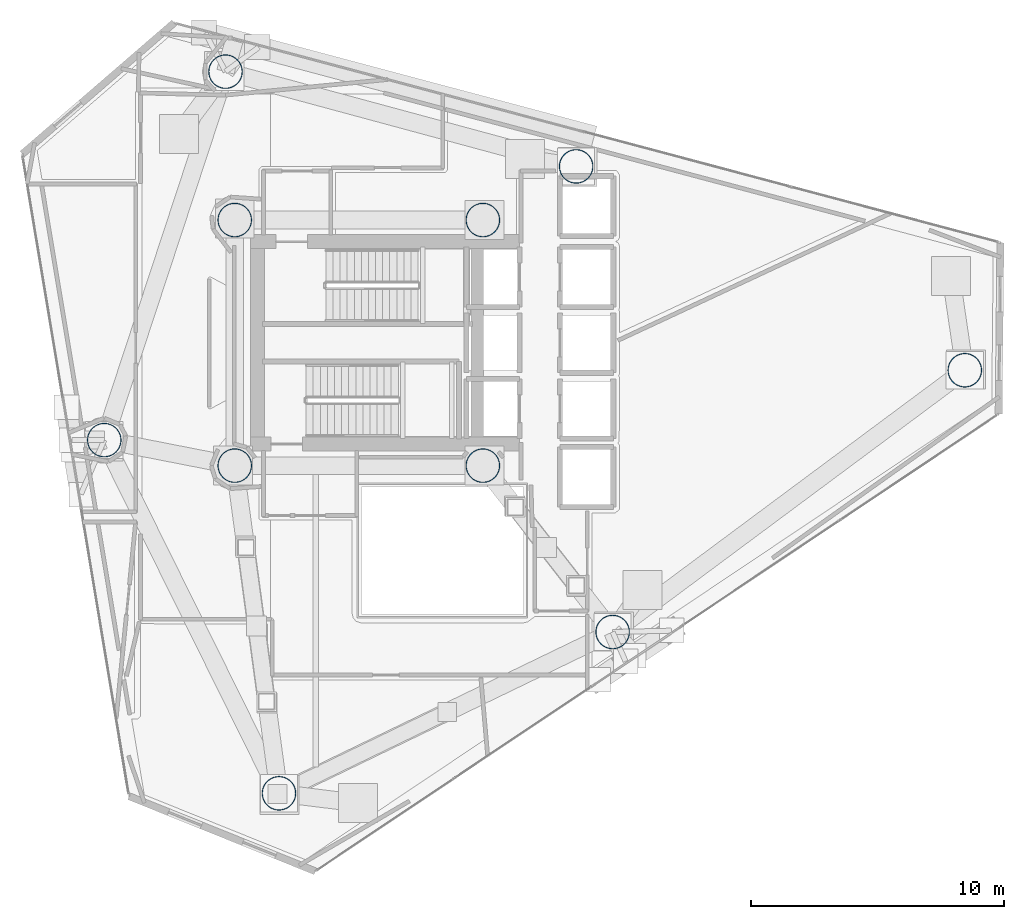
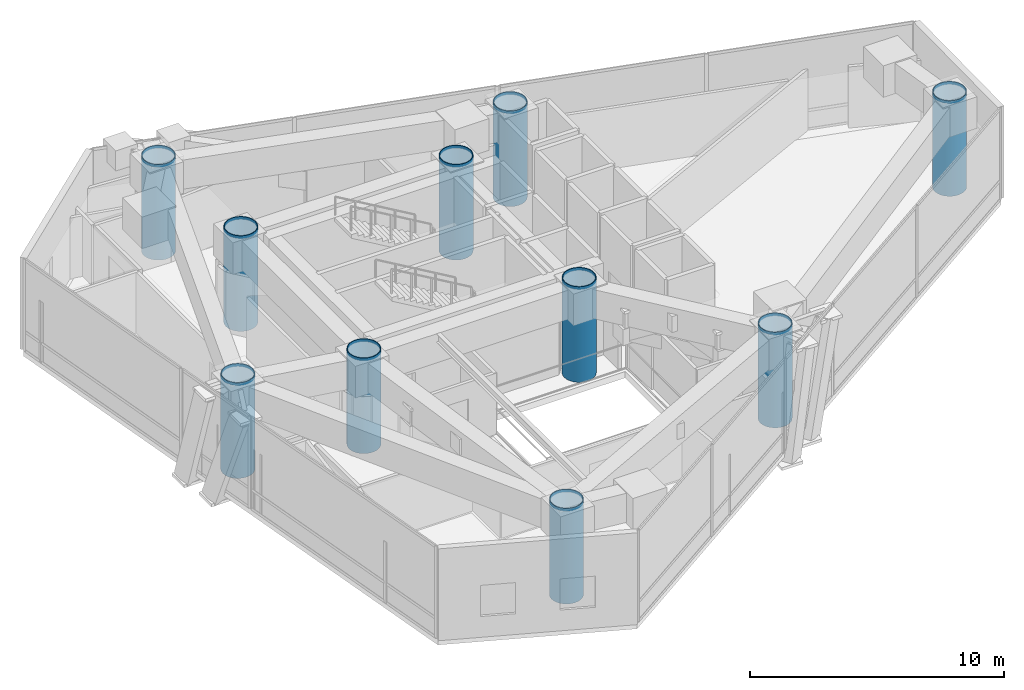
# One storey, part 1 of 22: 10 columns.
"""IFC4 building model written with IfcOpenShell, lengths in metres."""

from ifc_helpers import new_model, si_unit, direction, frame, origin, origin_2d, place, context, subcontext, project, spatial, hollow_circle, extrude, material, material_profile, profile_set, type_object, element, save


model = new_model("IFC4")

# Units and contexts
model_context = context("Model", 3, precision=1e-05, world=origin(), true_north=direction((0.0, 1.0)))
body_context = subcontext(model_context, "Body", "Model", "MODEL_VIEW")
ifc_project = project(units=[si_unit("LENGTHUNIT", "METRE"), si_unit("AREAUNIT", "SQUARE_METRE"), si_unit("VOLUMEUNIT", "CUBIC_METRE"), si_unit("PLANEANGLEUNIT", "RADIAN"), si_unit("MASSUNIT", "GRAM", prefix="KILO")], contexts=[model_context])

# Site, building, storey
site_placement = place(None, origin())
site = spatial("IfcSite", under=ifc_project, at=site_placement, CompositionType="ELEMENT")
building_placement = place(site_placement, origin())
building = spatial("IfcBuilding", under=site, at=building_placement, Name="Qianvela Tower", CompositionType="ELEMENT")
storey_placement = place(building_placement, frame((0.0, 0.0, 184.60009765625)))
storey = spatial("IfcBuildingStorey", under=building, at=storey_placement, Name="L47", CompositionType="ELEMENT", Elevation=184.60009765625)

# Columns
ifc_material = material(Name="Steel Q420GJC", Category="steel")
ifc_material_profile = material_profile(ifc_material, hollow_circle(Radius=0.675048828125, WallThickness=0.031982421875, at=origin_2d()), Name="CFT-1350x32")
ifc_profile_set = profile_set([ifc_material_profile], Name="Steel Q420GJC")
column_type = type_object("IfcColumnType", Name="COL-CFT-1350x32", PredefinedType="COLUMN", material=ifc_profile_set)
for number, where, z_axis, x_axis, name in (
    (1, (28.60009765625, 33.550048828125, 0.0), (0.0, 0.0, 1.0), (1.0, 0.0, 0.0), "L47 Core Corner Mega-Column CC-NW"),
    (2, (28.60009765625, 23.85009765625, 0.0), (0.0, 0.0, 1.0), (1.0, 0.0, 0.0), "L47 Core Corner Mega-Column CC-SW"),
    (3, (38.39990234375, 33.550048828125, 0.0), (0.0, 0.0, 1.0), (1.0, 0.0, 0.0), "L47 Core Corner Mega-Column CC-NE"),
    (4, (38.39990234375, 23.85009765625, 0.0), (0.0, 0.0, 1.0), (1.0, 0.0, 0.0), "L47 Core Corner Mega-Column CC-SE"),
    (5, (57.43408203125, 27.617919921875, 0.0), (0.0, 0.0, 1.0), (1.0, 0.0, 0.0), "L47 Zone Z4 CFT Mega-Column C1"),
    (6, (42.0830078125, 35.6689453125, 0.0), (0.0, 0.0, 1.0), (1.0, 0.0, 0.0), "L47 Zone Z4 CFT Mega-Column C2"),
    (7, (28.235107421875, 39.410888671875, 0.0), (0.0, 0.0, 1.0), (1.0, 0.0, 0.0), "L47 Zone Z4 CFT Mega-Column C3"),
    (8, (23.446044921875, 24.85888671875, 0.0), (0.0, 0.0, 1.0), (1.0, 0.0, 0.0), "L47 Zone Z4 CFT Mega-Column C4"),
    (9, (30.346923828125, 10.908935546875, 0.0), (0.0, 0.0, 1.0), (1.0, 0.0, 0.0), "L47 Zone Z4 CFT Mega-Column C5"),
    (10, (43.52490234375, 17.279052734375, 0.0), (0.0, 0.0, 1.0), (1.0, 0.0, 0.0), "L47 Zone Z4 CFT Mega-Column C6"),
):
    element("IfcColumn", number, at=place(storey_placement, frame(where, z_axis=z_axis, x_axis=x_axis)), inside=storey, type_object=column_type, Name=name, PredefinedType="COLUMN", context=body_context, shape_type="SweptSolid", body=[
        extrude(hollow_circle(Radius=0.675048828125, WallThickness=0.031982421875, at=origin_2d()), origin(), (0.0, 0.0, 1.0), 4.599853515625),
    ])

save(model, "model.ifc")
